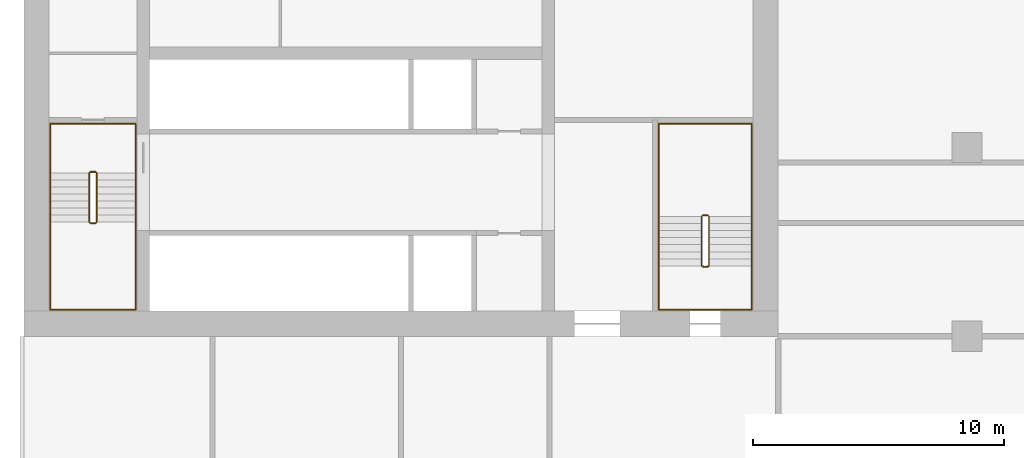
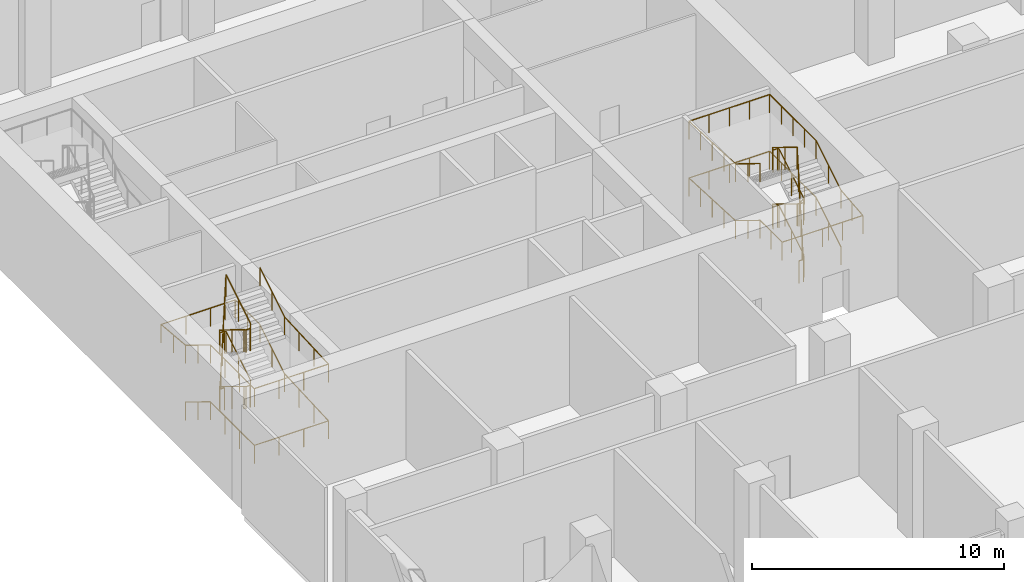
# One storey, part 9 of 10: 4 railings.
"""IFC4 building model written with IfcOpenShell, lengths in metres."""

from ifc_helpers import new_model, si_unit, direction, frame, origin, origin_2d, place, context, subcontext, project, spatial, circle, extrude, material, type_object, element, save


model = new_model("IFC4")

# Units and contexts
model_context = context("Model", 3, precision=1e-05, world=origin(), true_north=direction((0.0, 1.0)))
body_context = subcontext(model_context, "Body", "Model", "MODEL_VIEW")
ifc_project = project(units=[si_unit("LENGTHUNIT", "METRE"), si_unit("AREAUNIT", "SQUARE_METRE"), si_unit("VOLUMEUNIT", "CUBIC_METRE"), si_unit("PLANEANGLEUNIT", "RADIAN"), si_unit("MASSUNIT", "GRAM", prefix="KILO")], contexts=[model_context])

# Site, building, storey
site_placement = place(None, origin())
site = spatial("IfcSite", under=ifc_project, at=site_placement, CompositionType="ELEMENT")
building_placement = place(site_placement, origin())
building = spatial("IfcBuilding", under=site, at=building_placement, Name="Tamorin Gate", CompositionType="ELEMENT")
storey_placement = place(building_placement, frame((0.0, 0.0, 73.60009765625)))
storey = spatial("IfcBuildingStorey", under=building, at=storey_placement, Name="L17", CompositionType="ELEMENT", Elevation=73.60009765625)

# Railings
ifc_material_1 = material(Name="Painted steel balustrade", Category="steel")
railing_type_1 = type_object("IfcRailingType", Name="Stair guard 1100", PredefinedType="GUARDRAIL", material=ifc_material_1)
railing_1_placement = place(storey_placement, frame((32.60009765625, 66.5, 0.171875)))
element("IfcRailing", 1, at=railing_1_placement, inside=storey, type_object=railing_type_1, Name="L17 ST1 stair guard 1", PredefinedType="GUARDRAIL", context=body_context, shape_type="SweptSolid", body=[
    extrude(circle(Radius=0.02392578125, at=origin_2d()), frame((0.0, 0.0, 1.076171875), z_axis=(0.0, -0.852240978134, 0.523149419562), x_axis=(1.0, 0.0, 0.0)), (0.0, 0.0, 1.0), 2.2998046875),
    extrude(circle(Radius=0.02392578125, at=origin_2d()), frame((0.0, -1.9599609375, 2.279296875), z_axis=(0.705375805398, -0.708833529934, 0.0), x_axis=(0.708833529934, 0.705375805398, 0.0)), (0.0, 0.0, 1.0), 0.070556640625),
    extrude(circle(Radius=0.02392578125, at=origin_2d()), frame((0.0498046875, -2.010009765625, 2.279296875), z_axis=(1.0, 0.0, 0.0), x_axis=(0.0, 1.0, 0.0)), (0.0, 0.0, 1.0), 0.2001953125),
    extrude(circle(Radius=0.02392578125, at=origin_2d()), frame((0.25, -2.010009765625, 2.279296875), z_axis=(0.268036860282, 0.26935076646, 0.924989949209), x_axis=(-0.708833529934, 0.705375805398, 0.0)), (0.0, 0.0, 1.0), 0.185791015625),
    extrude(circle(Radius=0.02392578125, at=origin_2d()), frame((0.2998046875, -1.9599609375, 2.451171875), z_axis=(0.0, 0.852240978134, 0.523149419562), x_axis=(-1.0, 0.0, 0.0)), (0.0, 0.0, 1.0), 2.2998046875),
    extrude(circle(Radius=0.02392578125, at=origin_2d()), frame((0.2998046875, 0.0, 3.654296875), z_axis=(-0.98054382908, 0.196300278283, 0.0), x_axis=(-0.196300278283, -0.98054382908, 0.0)), (0.0, 0.0, 1.0), 0.2548828125),
    extrude(circle(Radius=0.02392578125, at=origin_2d()), frame((0.0498046875, 0.050048828125, 3.654296875), z_axis=(1.0, 0.0, 0.0), x_axis=(0.0, 1.0, 0.0)), (0.0, 0.0, 1.0), 0.2001953125),
    extrude(circle(Radius=0.02392578125, at=origin_2d()), frame((0.25, 0.050048828125, 3.654296875), z_axis=(-0.81305262559, -0.162769324459, 0.558973680093), x_axis=(0.196300278283, -0.98054382908, 0.0)), (0.0, 0.0, 1.0), 0.307373046875),
    extrude(circle(Radius=0.02392578125, at=origin_2d()), frame((0.0, 0.0, 3.826171875), z_axis=(0.0, -0.852240978134, 0.523149419562), x_axis=(1.0, 0.0, 0.0)), (0.0, 0.0, 1.0), 2.2998046875),
    extrude(circle(Radius=0.02392578125, at=origin_2d()), frame((0.0, -1.9599609375, 5.029296875), z_axis=(0.705375805398, -0.708833529934, 0.0), x_axis=(0.708833529934, 0.705375805398, 0.0)), (0.0, 0.0, 1.0), 0.070556640625),
    extrude(circle(Radius=0.02392578125, at=origin_2d()), frame((0.0498046875, -2.010009765625, 5.029296875), z_axis=(1.0, 0.0, 0.0), x_axis=(0.0, 1.0, 0.0)), (0.0, 0.0, 1.0), 0.2001953125),
    extrude(circle(Radius=0.02392578125, at=origin_2d()), frame((0.25, -2.010009765625, 5.029296875), z_axis=(0.268036860282, 0.26935076646, 0.924989949209), x_axis=(-0.708833529934, 0.705375805398, 0.0)), (0.0, 0.0, 1.0), 0.185791015625),
    extrude(circle(Radius=0.02392578125, at=origin_2d()), frame((0.2998046875, -1.9599609375, 5.201171875), z_axis=(0.0, 0.852240978134, 0.523149419562), x_axis=(-1.0, 0.0, 0.0)), (0.0, 0.0, 1.0), 2.2998046875),
    extrude(circle(Radius=0.02392578125, at=origin_2d()), frame((0.2998046875, 0.0, 6.404296875), z_axis=(-0.045405784895, 0.009090025296, -0.998927267692), x_axis=(-0.196300278283, -0.98054382908, 0.0)), (0.0, 0.0, 1.0), 5.505859375),
    extrude(circle(Radius=0.02392578125, at=origin_2d()), frame((0.0498046875, 0.050048828125, 0.904296875), z_axis=(1.0, 0.0, 0.0), x_axis=(0.0, 1.0, 0.0)), (0.0, 0.0, 1.0), 0.2001953125),
    extrude(circle(Radius=0.02099609375, at=origin_2d()), origin(), (0.0, 0.0, 1.0), 1.052001953125),
    extrude(circle(Radius=0.02099609375, at=origin_2d()), frame((0.0, -0.97998046875, 0.6015625)), (0.0, 0.0, 1.0), 1.052001953125),
    extrude(circle(Radius=0.02099609375, at=origin_2d()), frame((0.0, -1.9599609375, 1.203125)), (0.0, 0.0, 1.0), 1.052001953125),
    extrude(circle(Radius=0.02099609375, at=origin_2d()), frame((0.0498046875, -2.010009765625, 1.203125)), (0.0, 0.0, 1.0), 1.052001953125),
    extrude(circle(Radius=0.02099609375, at=origin_2d()), frame((0.25, -2.010009765625, 1.203125)), (0.0, 0.0, 1.0), 1.052001953125),
    extrude(circle(Radius=0.02099609375, at=origin_2d()), frame((0.2998046875, -1.9599609375, 1.375)), (0.0, 0.0, 1.0), 1.052001953125),
    extrude(circle(Radius=0.02099609375, at=origin_2d()), frame((0.2998046875, -0.97998046875, 1.9765625)), (0.0, 0.0, 1.0), 1.052001953125),
    extrude(circle(Radius=0.02099609375, at=origin_2d()), frame((0.2998046875, 0.0, 2.578125)), (0.0, 0.0, 1.0), 1.052001953125),
    extrude(circle(Radius=0.02099609375, at=origin_2d()), frame((0.0498046875, 0.050048828125, 2.578125)), (0.0, 0.0, 1.0), 1.052001953125),
    extrude(circle(Radius=0.02099609375, at=origin_2d()), frame((0.25, 0.050048828125, 2.578125)), (0.0, 0.0, 1.0), 1.052001953125),
    extrude(circle(Radius=0.02099609375, at=origin_2d()), frame((0.0, 0.0, 2.75)), (0.0, 0.0, 1.0), 1.052001953125),
    extrude(circle(Radius=0.02099609375, at=origin_2d()), frame((0.0, -0.97998046875, 3.3515625)), (0.0, 0.0, 1.0), 1.052001953125),
    extrude(circle(Radius=0.02099609375, at=origin_2d()), frame((0.0, -1.9599609375, 3.953125)), (0.0, 0.0, 1.0), 1.052001953125),
    extrude(circle(Radius=0.02099609375, at=origin_2d()), frame((0.0498046875, -2.010009765625, 3.953125)), (0.0, 0.0, 1.0), 1.052001953125),
    extrude(circle(Radius=0.02099609375, at=origin_2d()), frame((0.25, -2.010009765625, 3.953125)), (0.0, 0.0, 1.0), 1.052001953125),
    extrude(circle(Radius=0.02099609375, at=origin_2d()), frame((0.2998046875, -1.9599609375, 4.125)), (0.0, 0.0, 1.0), 1.052001953125),
    extrude(circle(Radius=0.02099609375, at=origin_2d()), frame((0.2998046875, -0.97998046875, 4.7265625)), (0.0, 0.0, 1.0), 1.052001953125),
    extrude(circle(Radius=0.02099609375, at=origin_2d()), frame((0.2998046875, 0.0, 5.328125)), (0.0, 0.0, 1.0), 1.052001953125),
    extrude(circle(Radius=0.02099609375, at=origin_2d()), frame((0.249755859375, 0.010009765625, 4.22802734375)), (0.0, 0.0, 1.0), 1.052001953125),
    extrude(circle(Radius=0.02099609375, at=origin_2d()), frame((0.19970703125, 0.02001953125, 3.128173828125)), (0.0, 0.0, 1.0), 1.052001953125),
    extrude(circle(Radius=0.02099609375, at=origin_2d()), frame((0.14990234375, 0.030029296875, 2.028076171875)), (0.0, 0.0, 1.0), 1.052001953125),
    extrude(circle(Radius=0.02099609375, at=origin_2d()), frame((0.099853515625, 0.0400390625, 0.92822265625)), (0.0, 0.0, 1.0), 1.052001953125),
    extrude(circle(Radius=0.02099609375, at=origin_2d()), frame((0.0498046875, 0.050048828125, -0.171875)), (0.0, 0.0, 1.0), 1.052001953125),
    extrude(circle(Radius=0.02099609375, at=origin_2d()), frame((0.25, 0.050048828125, -0.171875)), (0.0, 0.0, 1.0), 1.052001953125),
])
railing_2_placement = place(storey_placement, frame((57.25, 62.800048828125, 0.171875)))
element("IfcRailing", 2, at=railing_2_placement, inside=storey, type_object=railing_type_1, Name="L17 ST3 stair guard 1", PredefinedType="GUARDRAIL", context=body_context, shape_type="SweptSolid", body=[
    extrude(circle(Radius=0.02392578125, at=origin_2d()), frame((0.0, 0.0, 1.076171875), z_axis=(0.0, 0.852240978134, 0.523149419562), x_axis=(-1.0, 0.0, 0.0)), (0.0, 0.0, 1.0), 2.2998046875),
    extrude(circle(Radius=0.02392578125, at=origin_2d()), frame((0.0, 1.9599609375, 2.279296875), z_axis=(-0.707106781187, 0.707106781187, 0.0), x_axis=(-0.707106781187, -0.707106781187, 0.0)), (0.0, 0.0, 1.0), 0.07080078125),
    extrude(circle(Radius=0.02392578125, at=origin_2d()), frame((-0.050048828125, 2.010009765625, 2.279296875), z_axis=(-1.0, 0.0, 0.0), x_axis=(0.0, -1.0, 0.0)), (0.0, 0.0, 1.0), 0.199951171875),
    extrude(circle(Radius=0.02392578125, at=origin_2d()), frame((-0.25, 2.010009765625, 2.279296875), z_axis=(-0.269255725606, -0.269255725606, 0.92466356501), x_axis=(0.707106781187, -0.707106781187, 0.0)), (0.0, 0.0, 1.0), 0.185791015625),
    extrude(circle(Radius=0.02392578125, at=origin_2d()), frame((-0.300048828125, 1.9599609375, 2.451171875), z_axis=(0.0, -0.852240978134, 0.523149419562), x_axis=(1.0, 0.0, 0.0)), (0.0, 0.0, 1.0), 2.2998046875),
    extrude(circle(Radius=0.02392578125, at=origin_2d()), frame((-0.300048828125, 0.0, 3.654296875), z_axis=(0.98054382908, -0.196300278283, 0.0), x_axis=(0.196300278283, 0.98054382908, 0.0)), (0.0, 0.0, 1.0), 0.2548828125),
    extrude(circle(Radius=0.02392578125, at=origin_2d()), frame((-0.050048828125, -0.050048828125, 3.654296875), z_axis=(-1.0, 0.0, 0.0), x_axis=(0.0, -1.0, 0.0)), (0.0, 0.0, 1.0), 0.199951171875),
    extrude(circle(Radius=0.02392578125, at=origin_2d()), frame((-0.25, -0.050048828125, 3.654296875), z_axis=(0.81305262559, 0.162769324459, 0.558973680093), x_axis=(-0.196300278283, 0.98054382908, 0.0)), (0.0, 0.0, 1.0), 0.307373046875),
    extrude(circle(Radius=0.02392578125, at=origin_2d()), frame((0.0, 0.0, 3.826171875), z_axis=(0.0, 0.852240978134, 0.523149419562), x_axis=(-1.0, 0.0, 0.0)), (0.0, 0.0, 1.0), 2.2998046875),
    extrude(circle(Radius=0.02392578125, at=origin_2d()), frame((0.0, 1.9599609375, 5.029296875), z_axis=(-0.707106781187, 0.707106781187, 0.0), x_axis=(-0.707106781187, -0.707106781187, 0.0)), (0.0, 0.0, 1.0), 0.07080078125),
    extrude(circle(Radius=0.02392578125, at=origin_2d()), frame((-0.050048828125, 2.010009765625, 5.029296875), z_axis=(-1.0, 0.0, 0.0), x_axis=(0.0, -1.0, 0.0)), (0.0, 0.0, 1.0), 0.199951171875),
    extrude(circle(Radius=0.02392578125, at=origin_2d()), frame((-0.25, 2.010009765625, 5.029296875), z_axis=(-0.269255725606, -0.269255725606, 0.92466356501), x_axis=(0.707106781187, -0.707106781187, 0.0)), (0.0, 0.0, 1.0), 0.185791015625),
    extrude(circle(Radius=0.02392578125, at=origin_2d()), frame((-0.300048828125, 1.9599609375, 5.201171875), z_axis=(0.0, -0.852240978134, 0.523149419562), x_axis=(1.0, 0.0, 0.0)), (0.0, 0.0, 1.0), 2.2998046875),
    extrude(circle(Radius=0.02392578125, at=origin_2d()), frame((-0.300048828125, 0.0, 6.404296875), z_axis=(0.045405784895, -0.009090025296, -0.998927267692), x_axis=(0.196300278283, 0.98054382908, 0.0)), (0.0, 0.0, 1.0), 5.505859375),
    extrude(circle(Radius=0.02392578125, at=origin_2d()), frame((-0.050048828125, -0.050048828125, 0.904296875), z_axis=(-1.0, 0.0, 0.0), x_axis=(0.0, -1.0, 0.0)), (0.0, 0.0, 1.0), 0.199951171875),
    extrude(circle(Radius=0.02099609375, at=origin_2d()), origin(), (0.0, 0.0, 1.0), 1.052001953125),
    extrude(circle(Radius=0.02099609375, at=origin_2d()), frame((0.0, 0.97998046875, 0.6015625)), (0.0, 0.0, 1.0), 1.052001953125),
    extrude(circle(Radius=0.02099609375, at=origin_2d()), frame((0.0, 1.9599609375, 1.203125)), (0.0, 0.0, 1.0), 1.052001953125),
    extrude(circle(Radius=0.02099609375, at=origin_2d()), frame((-0.050048828125, 2.010009765625, 1.203125)), (0.0, 0.0, 1.0), 1.052001953125),
    extrude(circle(Radius=0.02099609375, at=origin_2d()), frame((-0.25, 2.010009765625, 1.203125)), (0.0, 0.0, 1.0), 1.052001953125),
    extrude(circle(Radius=0.02099609375, at=origin_2d()), frame((-0.300048828125, 1.9599609375, 1.375)), (0.0, 0.0, 1.0), 1.052001953125),
    extrude(circle(Radius=0.02099609375, at=origin_2d()), frame((-0.300048828125, 0.97998046875, 1.9765625)), (0.0, 0.0, 1.0), 1.052001953125),
    extrude(circle(Radius=0.02099609375, at=origin_2d()), frame((-0.300048828125, 0.0, 2.578125)), (0.0, 0.0, 1.0), 1.052001953125),
    extrude(circle(Radius=0.02099609375, at=origin_2d()), frame((-0.050048828125, -0.050048828125, 2.578125)), (0.0, 0.0, 1.0), 1.052001953125),
    extrude(circle(Radius=0.02099609375, at=origin_2d()), frame((-0.25, -0.050048828125, 2.578125)), (0.0, 0.0, 1.0), 1.052001953125),
    extrude(circle(Radius=0.02099609375, at=origin_2d()), frame((0.0, 0.0, 2.75)), (0.0, 0.0, 1.0), 1.052001953125),
    extrude(circle(Radius=0.02099609375, at=origin_2d()), frame((0.0, 0.97998046875, 3.3515625)), (0.0, 0.0, 1.0), 1.052001953125),
    extrude(circle(Radius=0.02099609375, at=origin_2d()), frame((0.0, 1.9599609375, 3.953125)), (0.0, 0.0, 1.0), 1.052001953125),
    extrude(circle(Radius=0.02099609375, at=origin_2d()), frame((-0.050048828125, 2.010009765625, 3.953125)), (0.0, 0.0, 1.0), 1.052001953125),
    extrude(circle(Radius=0.02099609375, at=origin_2d()), frame((-0.25, 2.010009765625, 3.953125)), (0.0, 0.0, 1.0), 1.052001953125),
    extrude(circle(Radius=0.02099609375, at=origin_2d()), frame((-0.300048828125, 1.9599609375, 4.125)), (0.0, 0.0, 1.0), 1.052001953125),
    extrude(circle(Radius=0.02099609375, at=origin_2d()), frame((-0.300048828125, 0.97998046875, 4.7265625)), (0.0, 0.0, 1.0), 1.052001953125),
    extrude(circle(Radius=0.02099609375, at=origin_2d()), frame((-0.300048828125, 0.0, 5.328125)), (0.0, 0.0, 1.0), 1.052001953125),
    extrude(circle(Radius=0.02099609375, at=origin_2d()), frame((-0.25, -0.010009765625, 4.22802734375)), (0.0, 0.0, 1.0), 1.052001953125),
    extrude(circle(Radius=0.02099609375, at=origin_2d()), frame((-0.199951171875, -0.02001953125, 3.128173828125)), (0.0, 0.0, 1.0), 1.052001953125),
    extrude(circle(Radius=0.02099609375, at=origin_2d()), frame((-0.150146484375, -0.030029296875, 2.028076171875)), (0.0, 0.0, 1.0), 1.052001953125),
    extrude(circle(Radius=0.02099609375, at=origin_2d()), frame((-0.10009765625, -0.0400390625, 0.92822265625)), (0.0, 0.0, 1.0), 1.052001953125),
    extrude(circle(Radius=0.02099609375, at=origin_2d()), frame((-0.050048828125, -0.050048828125, -0.171875)), (0.0, 0.0, 1.0), 1.052001953125),
    extrude(circle(Radius=0.02099609375, at=origin_2d()), frame((-0.25, -0.050048828125, -0.171875)), (0.0, 0.0, 1.0), 1.052001953125),
])
ifc_material_2 = material(Name="Painted steel handrail", Category="steel")
railing_type_2 = type_object("IfcRailingType", Name="Stair handrail 900", PredefinedType="HANDRAIL", material=ifc_material_2)
railing_3_placement = place(storey_placement, frame((31.050048828125, 66.5, 0.171875)))
element("IfcRailing", 3, at=railing_3_placement, inside=storey, type_object=railing_type_2, Name="L17 ST1 stair handrail 1", PredefinedType="HANDRAIL", context=body_context, shape_type="SweptSolid", body=[
    extrude(circle(Radius=0.02392578125, at=origin_2d()), frame((0.0, 0.0, 0.8759765625), z_axis=(0.0, -0.852240978134, 0.523149419562), x_axis=(1.0, 0.0, 0.0)), (0.0, 0.0, 1.0), 2.2998046875),
    extrude(circle(Radius=0.02392578125, at=origin_2d()), frame((0.0, -1.9599609375, 2.0791015625), z_axis=(0.0, -1.0, 0.0), x_axis=(1.0, 0.0, 0.0)), (0.0, 0.0, 1.0), 3.489990234375),
    extrude(circle(Radius=0.02392578125, at=origin_2d()), frame((0.0, -5.449951171875, 2.0791015625), z_axis=(1.0, 0.0, 0.0), x_axis=(0.0, 1.0, 0.0)), (0.0, 0.0, 1.0), 3.39990234375),
    extrude(circle(Radius=0.02392578125, at=origin_2d()), frame((3.39990234375, -5.449951171875, 2.0791015625), z_axis=(0.0, 0.998789519247, 0.049188375065), x_axis=(-1.0, 0.0, 0.0)), (0.0, 0.0, 1.0), 3.494140625),
    extrude(circle(Radius=0.02392578125, at=origin_2d()), frame((3.39990234375, -1.9599609375, 2.2509765625), z_axis=(0.0, 0.852240978134, 0.523149419562), x_axis=(-1.0, 0.0, 0.0)), (0.0, 0.0, 1.0), 2.2998046875),
    extrude(circle(Radius=0.02392578125, at=origin_2d()), frame((3.39990234375, 0.0, 3.4541015625), z_axis=(0.0, 1.0, 0.0), x_axis=(-1.0, 0.0, 0.0)), (0.0, 0.0, 1.0), 1.949951171875),
    extrude(circle(Radius=0.02392578125, at=origin_2d()), frame((3.39990234375, 1.949951171875, 3.4541015625), z_axis=(-1.0, 0.0, 0.0), x_axis=(0.0, -1.0, 0.0)), (0.0, 0.0, 1.0), 3.39990234375),
    extrude(circle(Radius=0.02392578125, at=origin_2d()), frame((0.0, 1.949951171875, 3.4541015625), z_axis=(0.0, -0.996137875047, 0.087802812575), x_axis=(1.0, 0.0, 0.0)), (0.0, 0.0, 1.0), 1.95751953125),
    extrude(circle(Radius=0.02392578125, at=origin_2d()), frame((0.0, 0.0, 3.6259765625), z_axis=(0.0, -0.852240978134, 0.523149419562), x_axis=(1.0, 0.0, 0.0)), (0.0, 0.0, 1.0), 2.2998046875),
    extrude(circle(Radius=0.02392578125, at=origin_2d()), frame((0.0, -1.9599609375, 4.8291015625), z_axis=(0.0, -1.0, 0.0), x_axis=(1.0, 0.0, 0.0)), (0.0, 0.0, 1.0), 3.489990234375),
    extrude(circle(Radius=0.02392578125, at=origin_2d()), frame((0.0, -5.449951171875, 4.8291015625), z_axis=(1.0, 0.0, 0.0), x_axis=(0.0, 1.0, 0.0)), (0.0, 0.0, 1.0), 3.39990234375),
    extrude(circle(Radius=0.02392578125, at=origin_2d()), frame((3.39990234375, -5.449951171875, 4.8291015625), z_axis=(0.0, 0.998789519247, 0.049188375065), x_axis=(-1.0, 0.0, 0.0)), (0.0, 0.0, 1.0), 3.494140625),
    extrude(circle(Radius=0.02392578125, at=origin_2d()), frame((3.39990234375, -1.9599609375, 5.0009765625), z_axis=(0.0, 0.852240978134, 0.523149419562), x_axis=(-1.0, 0.0, 0.0)), (0.0, 0.0, 1.0), 2.2998046875),
    extrude(circle(Radius=0.02099609375, at=origin_2d()), origin(), (0.0, 0.0, 1.0), 0.851806640625),
    extrude(circle(Radius=0.02099609375, at=origin_2d()), frame((0.0, -0.97998046875, 0.6015625)), (0.0, 0.0, 1.0), 0.851806640625),
    extrude(circle(Radius=0.02099609375, at=origin_2d()), frame((0.0, -1.9599609375, 1.203125)), (0.0, 0.0, 1.0), 0.851806640625),
    extrude(circle(Radius=0.02099609375, at=origin_2d()), frame((0.0, -3.123291015625, 1.203125)), (0.0, 0.0, 1.0), 0.851806640625),
    extrude(circle(Radius=0.02099609375, at=origin_2d()), frame((0.0, -4.28662109375, 1.203125)), (0.0, 0.0, 1.0), 0.851806640625),
    extrude(circle(Radius=0.02099609375, at=origin_2d()), frame((0.0, -5.449951171875, 1.203125)), (0.0, 0.0, 1.0), 0.851806640625),
    extrude(circle(Radius=0.02099609375, at=origin_2d()), frame((1.13330078125, -5.449951171875, 1.203125)), (0.0, 0.0, 1.0), 0.851806640625),
    extrude(circle(Radius=0.02099609375, at=origin_2d()), frame((2.2666015625, -5.449951171875, 1.203125)), (0.0, 0.0, 1.0), 0.851806640625),
    extrude(circle(Radius=0.02099609375, at=origin_2d()), frame((3.39990234375, -5.449951171875, 1.203125)), (0.0, 0.0, 1.0), 0.851806640625),
    extrude(circle(Radius=0.02099609375, at=origin_2d()), frame((3.39990234375, -4.28662109375, 1.260498046875)), (0.0, 0.0, 1.0), 0.851806640625),
    extrude(circle(Radius=0.02099609375, at=origin_2d()), frame((3.39990234375, -3.123291015625, 1.317626953125)), (0.0, 0.0, 1.0), 0.851806640625),
    extrude(circle(Radius=0.02099609375, at=origin_2d()), frame((3.39990234375, -1.9599609375, 1.375)), (0.0, 0.0, 1.0), 0.851806640625),
    extrude(circle(Radius=0.02099609375, at=origin_2d()), frame((3.39990234375, -0.97998046875, 1.9765625)), (0.0, 0.0, 1.0), 0.851806640625),
    extrude(circle(Radius=0.02099609375, at=origin_2d()), frame((3.39990234375, 0.0, 2.578125)), (0.0, 0.0, 1.0), 0.851806640625),
    extrude(circle(Radius=0.02099609375, at=origin_2d()), frame((3.39990234375, 0.97509765625, 2.578125)), (0.0, 0.0, 1.0), 0.851806640625),
    extrude(circle(Radius=0.02099609375, at=origin_2d()), frame((3.39990234375, 1.949951171875, 2.578125)), (0.0, 0.0, 1.0), 0.851806640625),
    extrude(circle(Radius=0.02099609375, at=origin_2d()), frame((2.2666015625, 1.949951171875, 2.578125)), (0.0, 0.0, 1.0), 0.851806640625),
    extrude(circle(Radius=0.02099609375, at=origin_2d()), frame((1.13330078125, 1.949951171875, 2.578125)), (0.0, 0.0, 1.0), 0.851806640625),
    extrude(circle(Radius=0.02099609375, at=origin_2d()), frame((0.0, 1.949951171875, 2.578125)), (0.0, 0.0, 1.0), 0.851806640625),
    extrude(circle(Radius=0.02099609375, at=origin_2d()), frame((0.0, 0.97509765625, 2.6640625)), (0.0, 0.0, 1.0), 0.851806640625),
    extrude(circle(Radius=0.02099609375, at=origin_2d()), frame((0.0, 0.0, 2.75)), (0.0, 0.0, 1.0), 0.851806640625),
    extrude(circle(Radius=0.02099609375, at=origin_2d()), frame((0.0, -0.97998046875, 3.3515625)), (0.0, 0.0, 1.0), 0.851806640625),
    extrude(circle(Radius=0.02099609375, at=origin_2d()), frame((0.0, -1.9599609375, 3.953125)), (0.0, 0.0, 1.0), 0.851806640625),
    extrude(circle(Radius=0.02099609375, at=origin_2d()), frame((0.0, -3.123291015625, 3.953125)), (0.0, 0.0, 1.0), 0.851806640625),
    extrude(circle(Radius=0.02099609375, at=origin_2d()), frame((0.0, -4.28662109375, 3.953125)), (0.0, 0.0, 1.0), 0.851806640625),
    extrude(circle(Radius=0.02099609375, at=origin_2d()), frame((0.0, -5.449951171875, 3.953125)), (0.0, 0.0, 1.0), 0.851806640625),
    extrude(circle(Radius=0.02099609375, at=origin_2d()), frame((1.13330078125, -5.449951171875, 3.953125)), (0.0, 0.0, 1.0), 0.851806640625),
    extrude(circle(Radius=0.02099609375, at=origin_2d()), frame((2.2666015625, -5.449951171875, 3.953125)), (0.0, 0.0, 1.0), 0.851806640625),
    extrude(circle(Radius=0.02099609375, at=origin_2d()), frame((3.39990234375, -5.449951171875, 3.953125)), (0.0, 0.0, 1.0), 0.851806640625),
    extrude(circle(Radius=0.02099609375, at=origin_2d()), frame((3.39990234375, -4.28662109375, 4.010498046875)), (0.0, 0.0, 1.0), 0.851806640625),
    extrude(circle(Radius=0.02099609375, at=origin_2d()), frame((3.39990234375, -3.123291015625, 4.067626953125)), (0.0, 0.0, 1.0), 0.851806640625),
    extrude(circle(Radius=0.02099609375, at=origin_2d()), frame((3.39990234375, -1.9599609375, 4.125)), (0.0, 0.0, 1.0), 0.851806640625),
    extrude(circle(Radius=0.02099609375, at=origin_2d()), frame((3.39990234375, -0.97998046875, 4.7265625)), (0.0, 0.0, 1.0), 0.851806640625),
    extrude(circle(Radius=0.02099609375, at=origin_2d()), frame((3.39990234375, 0.0, 5.328125)), (0.0, 0.0, 1.0), 0.851806640625),
])
railing_4_placement = place(storey_placement, frame((58.949951171875, 62.800048828125, 0.171875)))
element("IfcRailing", 4, at=railing_4_placement, inside=storey, type_object=railing_type_2, Name="L17 ST3 stair handrail 1", PredefinedType="HANDRAIL", context=body_context, shape_type="SweptSolid", body=[
    extrude(circle(Radius=0.02392578125, at=origin_2d()), frame((0.0, 0.0, 0.8759765625), z_axis=(0.0, 0.852240978134, 0.523149419562), x_axis=(-1.0, 0.0, 0.0)), (0.0, 0.0, 1.0), 2.2998046875),
    extrude(circle(Radius=0.02392578125, at=origin_2d()), frame((0.0, 1.9599609375, 2.0791015625), z_axis=(0.0, 1.0, 0.0), x_axis=(-1.0, 0.0, 0.0)), (0.0, 0.0, 1.0), 3.68994140625),
    extrude(circle(Radius=0.02392578125, at=origin_2d()), frame((0.0, 5.64990234375, 2.0791015625), z_axis=(-1.0, 0.0, 0.0), x_axis=(0.0, -1.0, 0.0)), (0.0, 0.0, 1.0), 3.699951171875),
    extrude(circle(Radius=0.02392578125, at=origin_2d()), frame((-3.699951171875, 5.64990234375, 2.0791015625), z_axis=(0.0, -0.998916945045, 0.046528882448), x_axis=(1.0, 0.0, 0.0)), (0.0, 0.0, 1.0), 3.69384765625),
    extrude(circle(Radius=0.02392578125, at=origin_2d()), frame((-3.699951171875, 1.9599609375, 2.2509765625), z_axis=(0.0, -0.852240978134, 0.523149419562), x_axis=(1.0, 0.0, 0.0)), (0.0, 0.0, 1.0), 2.2998046875),
    extrude(circle(Radius=0.02392578125, at=origin_2d()), frame((-3.699951171875, 0.0, 3.4541015625), z_axis=(0.0, -1.0, 0.0), x_axis=(1.0, 0.0, 0.0)), (0.0, 0.0, 1.0), 1.75),
    extrude(circle(Radius=0.02392578125, at=origin_2d()), frame((-3.699951171875, -1.75, 3.4541015625), z_axis=(1.0, 0.0, 0.0), x_axis=(0.0, 1.0, 0.0)), (0.0, 0.0, 1.0), 3.699951171875),
    extrude(circle(Radius=0.02392578125, at=origin_2d()), frame((0.0, -1.75, 3.4541015625), z_axis=(0.0, 0.995211591236, 0.097743995568), x_axis=(-1.0, 0.0, 0.0)), (0.0, 0.0, 1.0), 1.75830078125),
    extrude(circle(Radius=0.02392578125, at=origin_2d()), frame((0.0, 0.0, 3.6259765625), z_axis=(0.0, 0.852240978134, 0.523149419562), x_axis=(-1.0, 0.0, 0.0)), (0.0, 0.0, 1.0), 2.2998046875),
    extrude(circle(Radius=0.02392578125, at=origin_2d()), frame((0.0, 1.9599609375, 4.8291015625), z_axis=(0.0, 1.0, 0.0), x_axis=(-1.0, 0.0, 0.0)), (0.0, 0.0, 1.0), 3.68994140625),
    extrude(circle(Radius=0.02392578125, at=origin_2d()), frame((0.0, 5.64990234375, 4.8291015625), z_axis=(-1.0, 0.0, 0.0), x_axis=(0.0, -1.0, 0.0)), (0.0, 0.0, 1.0), 3.699951171875),
    extrude(circle(Radius=0.02392578125, at=origin_2d()), frame((-3.699951171875, 5.64990234375, 4.8291015625), z_axis=(0.0, -0.998916945045, 0.046528882448), x_axis=(1.0, 0.0, 0.0)), (0.0, 0.0, 1.0), 3.69384765625),
    extrude(circle(Radius=0.02392578125, at=origin_2d()), frame((-3.699951171875, 1.9599609375, 5.0009765625), z_axis=(0.0, -0.852240978134, 0.523149419562), x_axis=(1.0, 0.0, 0.0)), (0.0, 0.0, 1.0), 2.2998046875),
    extrude(circle(Radius=0.02099609375, at=origin_2d()), origin(), (0.0, 0.0, 1.0), 0.851806640625),
    extrude(circle(Radius=0.02099609375, at=origin_2d()), frame((0.0, 0.97998046875, 0.6015625)), (0.0, 0.0, 1.0), 0.851806640625),
    extrude(circle(Radius=0.02099609375, at=origin_2d()), frame((0.0, 1.9599609375, 1.203125)), (0.0, 0.0, 1.0), 0.851806640625),
    extrude(circle(Radius=0.02099609375, at=origin_2d()), frame((0.0, 2.88232421875, 1.203125)), (0.0, 0.0, 1.0), 0.851806640625),
    extrude(circle(Radius=0.02099609375, at=origin_2d()), frame((0.0, 3.804931640625, 1.203125)), (0.0, 0.0, 1.0), 0.851806640625),
    extrude(circle(Radius=0.02099609375, at=origin_2d()), frame((0.0, 4.7275390625, 1.203125)), (0.0, 0.0, 1.0), 0.851806640625),
    extrude(circle(Radius=0.02099609375, at=origin_2d()), frame((0.0, 5.64990234375, 1.203125)), (0.0, 0.0, 1.0), 0.851806640625),
    extrude(circle(Radius=0.02099609375, at=origin_2d()), frame((-0.925048828125, 5.64990234375, 1.203125)), (0.0, 0.0, 1.0), 0.851806640625),
    extrude(circle(Radius=0.02099609375, at=origin_2d()), frame((-1.85009765625, 5.64990234375, 1.203125)), (0.0, 0.0, 1.0), 0.851806640625),
    extrude(circle(Radius=0.02099609375, at=origin_2d()), frame((-2.77490234375, 5.64990234375, 1.203125)), (0.0, 0.0, 1.0), 0.851806640625),
    extrude(circle(Radius=0.02099609375, at=origin_2d()), frame((-3.699951171875, 5.64990234375, 1.203125)), (0.0, 0.0, 1.0), 0.851806640625),
    extrude(circle(Radius=0.02099609375, at=origin_2d()), frame((-3.699951171875, 4.7275390625, 1.24609375)), (0.0, 0.0, 1.0), 0.851806640625),
    extrude(circle(Radius=0.02099609375, at=origin_2d()), frame((-3.699951171875, 3.804931640625, 1.2890625)), (0.0, 0.0, 1.0), 0.851806640625),
    extrude(circle(Radius=0.02099609375, at=origin_2d()), frame((-3.699951171875, 2.88232421875, 1.33203125)), (0.0, 0.0, 1.0), 0.851806640625),
    extrude(circle(Radius=0.02099609375, at=origin_2d()), frame((-3.699951171875, 1.9599609375, 1.375)), (0.0, 0.0, 1.0), 0.851806640625),
    extrude(circle(Radius=0.02099609375, at=origin_2d()), frame((-3.699951171875, 0.97998046875, 1.9765625)), (0.0, 0.0, 1.0), 0.851806640625),
    extrude(circle(Radius=0.02099609375, at=origin_2d()), frame((-3.699951171875, 0.0, 2.578125)), (0.0, 0.0, 1.0), 0.851806640625),
    extrude(circle(Radius=0.02099609375, at=origin_2d()), frame((-3.699951171875, -0.875, 2.578125)), (0.0, 0.0, 1.0), 0.851806640625),
    extrude(circle(Radius=0.02099609375, at=origin_2d()), frame((-3.699951171875, -1.75, 2.578125)), (0.0, 0.0, 1.0), 0.851806640625),
    extrude(circle(Radius=0.02099609375, at=origin_2d()), frame((-2.77490234375, -1.75, 2.578125)), (0.0, 0.0, 1.0), 0.851806640625),
    extrude(circle(Radius=0.02099609375, at=origin_2d()), frame((-1.85009765625, -1.75, 2.578125)), (0.0, 0.0, 1.0), 0.851806640625),
    extrude(circle(Radius=0.02099609375, at=origin_2d()), frame((-0.925048828125, -1.75, 2.578125)), (0.0, 0.0, 1.0), 0.851806640625),
    extrude(circle(Radius=0.02099609375, at=origin_2d()), frame((0.0, -1.75, 2.578125)), (0.0, 0.0, 1.0), 0.851806640625),
    extrude(circle(Radius=0.02099609375, at=origin_2d()), frame((0.0, -0.875, 2.6640625)), (0.0, 0.0, 1.0), 0.851806640625),
    extrude(circle(Radius=0.02099609375, at=origin_2d()), frame((0.0, 0.0, 2.75)), (0.0, 0.0, 1.0), 0.851806640625),
    extrude(circle(Radius=0.02099609375, at=origin_2d()), frame((0.0, 0.97998046875, 3.3515625)), (0.0, 0.0, 1.0), 0.851806640625),
    extrude(circle(Radius=0.02099609375, at=origin_2d()), frame((0.0, 1.9599609375, 3.953125)), (0.0, 0.0, 1.0), 0.851806640625),
    extrude(circle(Radius=0.02099609375, at=origin_2d()), frame((0.0, 2.88232421875, 3.953125)), (0.0, 0.0, 1.0), 0.851806640625),
    extrude(circle(Radius=0.02099609375, at=origin_2d()), frame((0.0, 3.804931640625, 3.953125)), (0.0, 0.0, 1.0), 0.851806640625),
    extrude(circle(Radius=0.02099609375, at=origin_2d()), frame((0.0, 4.7275390625, 3.953125)), (0.0, 0.0, 1.0), 0.851806640625),
    extrude(circle(Radius=0.02099609375, at=origin_2d()), frame((0.0, 5.64990234375, 3.953125)), (0.0, 0.0, 1.0), 0.851806640625),
    extrude(circle(Radius=0.02099609375, at=origin_2d()), frame((-0.925048828125, 5.64990234375, 3.953125)), (0.0, 0.0, 1.0), 0.851806640625),
    extrude(circle(Radius=0.02099609375, at=origin_2d()), frame((-1.85009765625, 5.64990234375, 3.953125)), (0.0, 0.0, 1.0), 0.851806640625),
    extrude(circle(Radius=0.02099609375, at=origin_2d()), frame((-2.77490234375, 5.64990234375, 3.953125)), (0.0, 0.0, 1.0), 0.851806640625),
    extrude(circle(Radius=0.02099609375, at=origin_2d()), frame((-3.699951171875, 5.64990234375, 3.953125)), (0.0, 0.0, 1.0), 0.851806640625),
    extrude(circle(Radius=0.02099609375, at=origin_2d()), frame((-3.699951171875, 4.7275390625, 3.99609375)), (0.0, 0.0, 1.0), 0.851806640625),
    extrude(circle(Radius=0.02099609375, at=origin_2d()), frame((-3.699951171875, 3.804931640625, 4.0390625)), (0.0, 0.0, 1.0), 0.851806640625),
    extrude(circle(Radius=0.02099609375, at=origin_2d()), frame((-3.699951171875, 2.88232421875, 4.08203125)), (0.0, 0.0, 1.0), 0.851806640625),
    extrude(circle(Radius=0.02099609375, at=origin_2d()), frame((-3.699951171875, 1.9599609375, 4.125)), (0.0, 0.0, 1.0), 0.851806640625),
    extrude(circle(Radius=0.02099609375, at=origin_2d()), frame((-3.699951171875, 0.97998046875, 4.7265625)), (0.0, 0.0, 1.0), 0.851806640625),
    extrude(circle(Radius=0.02099609375, at=origin_2d()), frame((-3.699951171875, 0.0, 5.328125)), (0.0, 0.0, 1.0), 0.851806640625),
])

save(model, "model.ifc")
